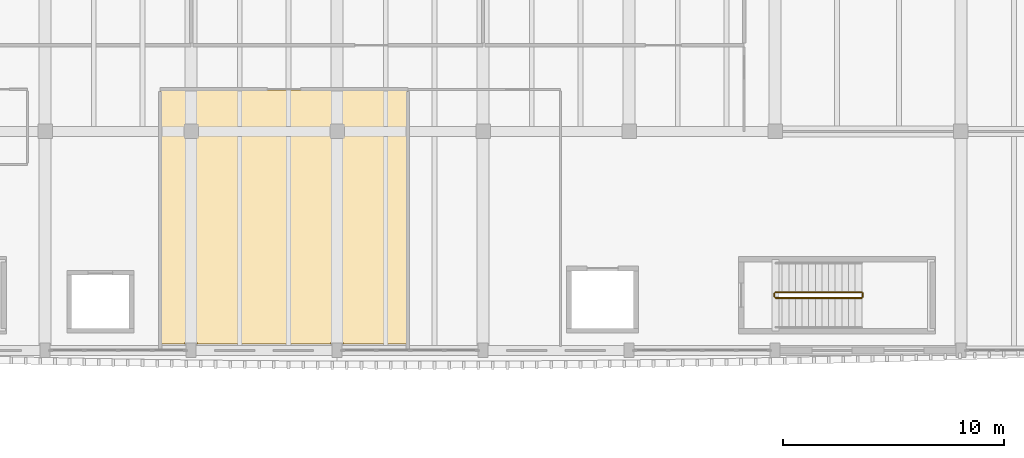
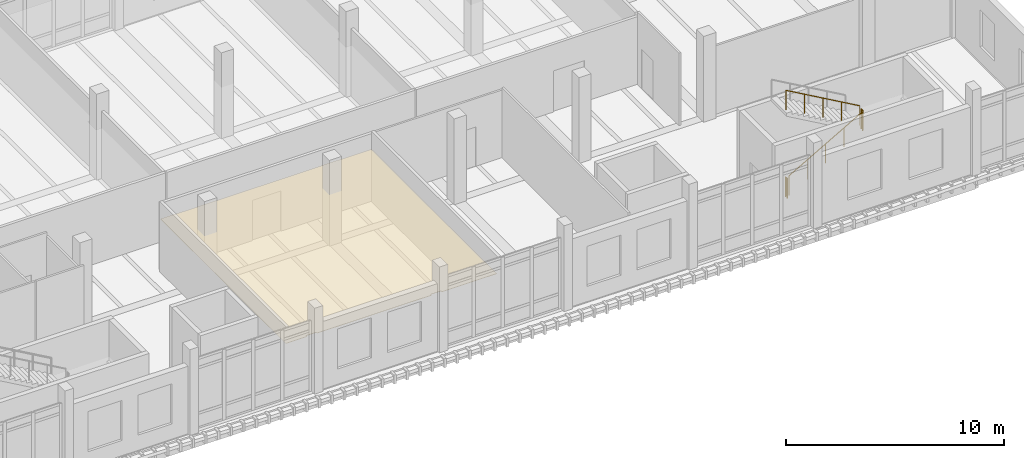
# One storey, part 67 of 76: 4 railings, 1 covering.
"""IFC4 building model written with IfcOpenShell, lengths in metres."""

from ifc_helpers import new_model, si_unit, direction, frame, origin, origin_2d, place, context, subcontext, project, spatial, polyline, circle, outline, extrude, material, layer, layer_set, type_object, element, save


model = new_model("IFC4")

# Units and contexts
model_context = context("Model", 3, precision=1e-05, world=origin(), true_north=direction((0.0, 1.0)))
body_context = subcontext(model_context, "Body", "Model", "MODEL_VIEW")
ifc_project = project(units=[si_unit("LENGTHUNIT", "METRE"), si_unit("AREAUNIT", "SQUARE_METRE"), si_unit("VOLUMEUNIT", "CUBIC_METRE"), si_unit("PLANEANGLEUNIT", "RADIAN"), si_unit("MASSUNIT", "GRAM", prefix="KILO")], contexts=[model_context])

# Site, building, storey
site_placement = place(None, origin())
site = spatial("IfcSite", under=ifc_project, at=site_placement, CompositionType="ELEMENT")
building_placement = place(site_placement, origin())
building = spatial("IfcBuilding", under=site, at=building_placement, Name="Dornvale Research Institute", CompositionType="ELEMENT")
storey_placement = place(building_placement, frame((0.0, 0.0, 15.0)))
storey = spatial("IfcBuildingStorey", under=building, at=storey_placement, Name="L03", CompositionType="ELEMENT", Elevation=15.0)

# Covering
ifc_material_1 = material(Name="Mineral-Fibre Acoustic Lay-In Ceiling Tile System")
ifc_layer_1 = layer(ifc_material_1, 0.02001953125)
ifc_layer_set_1 = layer_set([ifc_layer_1], Name="Mineral-Fibre Acoustic Lay-In Ceiling Tile System")
covering_type = type_object("IfcCoveringType", Name="Covering_Acoustic_Ceiling", PredefinedType="CEILING", material=ifc_layer_set_1)
covering_placement = place(storey_placement, frame((0.0, 0.0, 2.85009765625)))
element("IfcCovering", 1, at=covering_placement, inside=storey, type_object=covering_type, Name="L03 Laboratory Instrument Support Room L03 suspended ceiling", PredefinedType="CEILING", context=body_context, shape_type="SweptSolid", body=[
    extrude(outline(polyline([(138.324951171875, 92.699951171875), (137.219970703125, 92.699951171875), (137.219970703125, 104.179931640625), (148.3798828125, 104.179931640625), (148.3798828125, 92.699951171875), (145.47509765625, 92.699951171875), (145.47509765625, 92.77490234375), (144.925048828125, 92.77490234375), (144.925048828125, 92.699951171875), (138.875, 92.699951171875), (138.875, 92.77490234375), (138.324951171875, 92.77490234375), (138.324951171875, 92.699951171875)])), origin(), (0.0, 0.0, 1.0), 0.02001953125),
])

# Railings
ifc_material_2 = material(Name="Galvanized Painted Tubular Steel Stair Rail", Category="steel")
ifc_layer_2 = layer(ifc_material_2, 0.050048828125)
ifc_layer_set_2 = layer_set([ifc_layer_2], Name="Galvanized Painted Tubular Steel Stair Rail")
railing_type = type_object("IfcRailingType", Name="Railing_Stair_Guard_1100", PredefinedType="GUARDRAIL", material=ifc_layer_set_2)
railing_1_placement = place(storey_placement, frame((165.02001953125, 94.77001953125, 0.17138671875)))
element("IfcRailing", 2, at=railing_1_placement, inside=storey, type_object=railing_type, Name="L03 ST-4 stair guard 1", PredefinedType="GUARDRAIL", context=body_context, shape_type="SweptSolid", body=[
    extrude(circle(Radius=0.02392578125, at=origin_2d()), frame((0.0, 0.0, 1.076171875), z_axis=(0.868243142124, 0.0, 0.496138938357), x_axis=(0.0, 1.0, 0.0)), (0.0, 0.0, 1.0), 4.49169921875),
    extrude(circle(Radius=0.02099609375, at=origin_2d()), origin(), (0.0, 0.0, 1.0), 1.052001953125),
    extrude(circle(Radius=0.02099609375, at=origin_2d()), frame((0.97509765625, 0.0, 0.55712890625)), (0.0, 0.0, 1.0), 1.052001953125),
    extrude(circle(Radius=0.02099609375, at=origin_2d()), frame((1.949951171875, 0.0, 1.1142578125)), (0.0, 0.0, 1.0), 1.052001953125),
    extrude(circle(Radius=0.02099609375, at=origin_2d()), frame((2.9248046875, 0.0, 1.67138671875)), (0.0, 0.0, 1.0), 1.052001953125),
    extrude(circle(Radius=0.02099609375, at=origin_2d()), frame((3.89990234375, 0.0, 2.228515625)), (0.0, 0.0, 1.0), 1.052001953125),
])
railing_2_placement = place(storey_placement, frame((168.969970703125, 94.820068359375, 2.39990234375)))
element("IfcRailing", 3, at=railing_2_placement, inside=storey, type_object=railing_type, Name="L03 ST-4 stair guard 2", PredefinedType="GUARDRAIL", context=body_context, shape_type="SweptSolid", body=[
    extrude(circle(Radius=0.02392578125, at=origin_2d()), frame((0.0, 0.0, 1.076171875), z_axis=(0.0, 1.0, 0.0), x_axis=(-1.0, 0.0, 0.0)), (0.0, 0.0, 1.0), 0.159912109375),
    extrude(circle(Radius=0.02099609375, at=origin_2d()), origin(), (0.0, 0.0, 1.0), 1.052001953125),
    extrude(circle(Radius=0.02099609375, at=origin_2d()), frame((0.0, 0.159912109375, 0.0)), (0.0, 0.0, 1.0), 1.052001953125),
])
railing_3_placement = place(storey_placement, frame((168.919921875, 95.030029296875, 2.571533203125)))
element("IfcRailing", 4, at=railing_3_placement, inside=storey, type_object=railing_type, Name="L03 ST-4 stair guard 3", PredefinedType="GUARDRAIL", context=body_context, shape_type="SweptSolid", body=[
    extrude(circle(Radius=0.02392578125, at=origin_2d()), frame((0.0, 0.0, 1.076171875), z_axis=(-0.868243142124, 0.0, 0.496138938357), x_axis=(0.0, -1.0, 0.0)), (0.0, 0.0, 1.0), 4.49169921875),
    extrude(circle(Radius=0.02099609375, at=origin_2d()), origin(), (0.0, 0.0, 1.0), 1.052001953125),
    extrude(circle(Radius=0.02099609375, at=origin_2d()), frame((-0.97509765625, 0.0, 0.55712890625)), (0.0, 0.0, 1.0), 1.052001953125),
    extrude(circle(Radius=0.02099609375, at=origin_2d()), frame((-1.949951171875, 0.0, 1.1142578125)), (0.0, 0.0, 1.0), 1.052001953125),
    extrude(circle(Radius=0.02099609375, at=origin_2d()), frame((-2.9248046875, 0.0, 1.67138671875)), (0.0, 0.0, 1.0), 1.052001953125),
    extrude(circle(Radius=0.02099609375, at=origin_2d()), frame((-3.89990234375, 0.0, 2.228515625)), (0.0, 0.0, 1.0), 1.052001953125),
])
railing_4_placement = place(storey_placement, frame((164.969970703125, 94.820068359375, 0.0)))
element("IfcRailing", 5, at=railing_4_placement, inside=storey, type_object=railing_type, Name="L03 ST-4 stair guard 4", PredefinedType="GUARDRAIL", context=body_context, shape_type="SweptSolid", body=[
    extrude(circle(Radius=0.02392578125, at=origin_2d()), frame((0.0, 0.0, 1.076171875), z_axis=(0.0, 1.0, 0.0), x_axis=(-1.0, 0.0, 0.0)), (0.0, 0.0, 1.0), 0.159912109375),
    extrude(circle(Radius=0.02099609375, at=origin_2d()), origin(), (0.0, 0.0, 1.0), 1.052001953125),
    extrude(circle(Radius=0.02099609375, at=origin_2d()), frame((0.0, 0.159912109375, 0.0)), (0.0, 0.0, 1.0), 1.052001953125),
])

save(model, "model.ifc")
